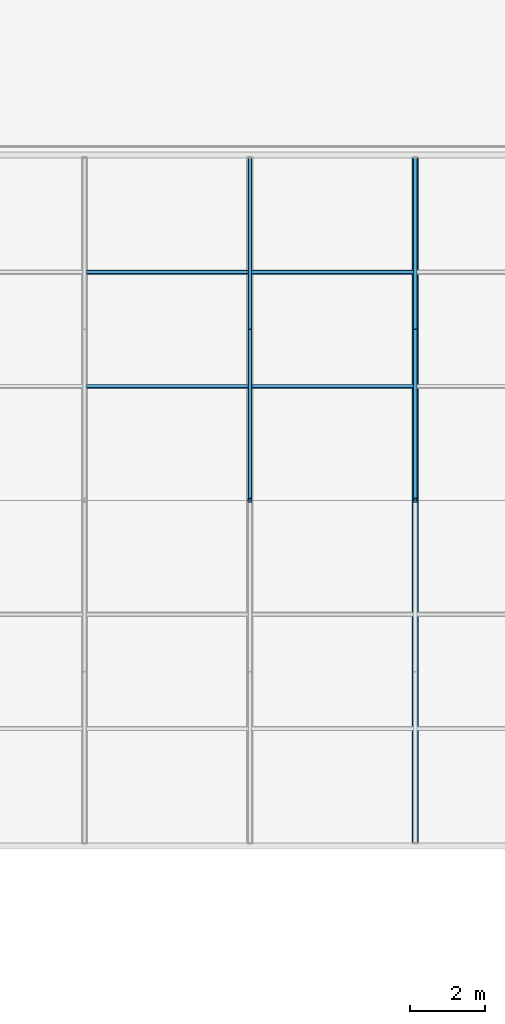
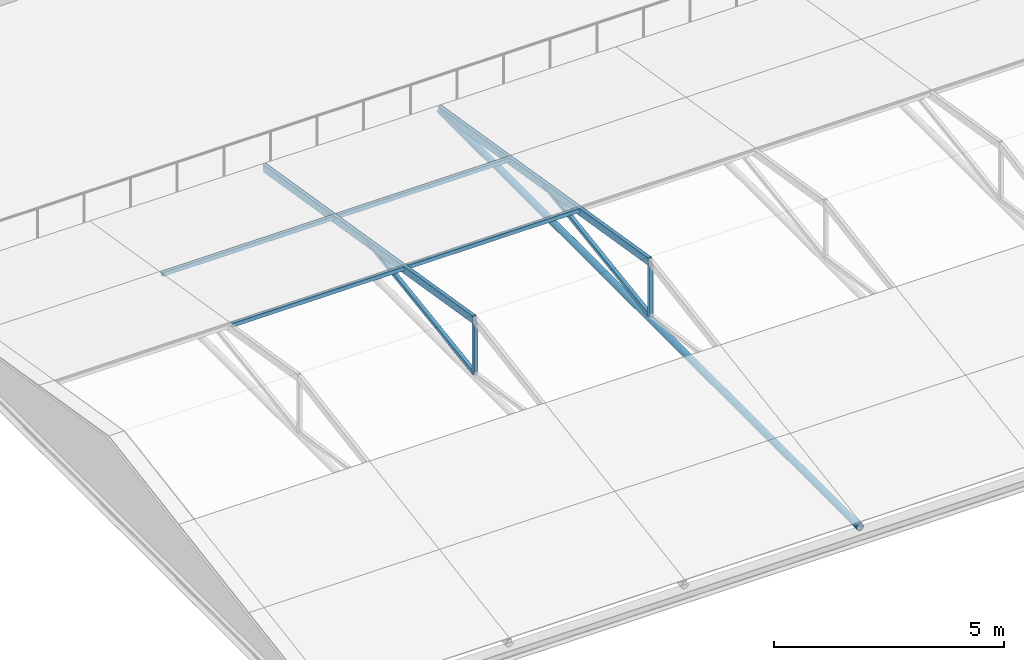
# One storey, part 9 of 69: 11 members.
"""IFC4 building model written with IfcOpenShell, lengths in metres."""

from ifc_helpers import new_model, si_unit, direction, frame, origin, origin_2d, place, context, subcontext, project, spatial, hollow_rectangle, hollow_circle, extrude, material, material_profile, profile_set, type_object, element, save


model = new_model("IFC4")

# Units and contexts
model_context = context("Model", 3, precision=1e-05, world=origin(), true_north=direction((0.0, 1.0)))
body_context = subcontext(model_context, "Body", "Model", "MODEL_VIEW")
ifc_project = project(units=[si_unit("LENGTHUNIT", "METRE"), si_unit("AREAUNIT", "SQUARE_METRE"), si_unit("VOLUMEUNIT", "CUBIC_METRE"), si_unit("PLANEANGLEUNIT", "RADIAN"), si_unit("MASSUNIT", "GRAM", prefix="KILO")], contexts=[model_context])

# Site, building, storey
site_placement = place(None, origin())
site = spatial("IfcSite", under=ifc_project, at=site_placement, CompositionType="ELEMENT")
building_placement = place(site_placement, origin())
building = spatial("IfcBuilding", under=site, at=building_placement, Name="Kallimachos Central Library", CompositionType="ELEMENT")
storey_placement = place(building_placement, frame((0.0, 0.0, 23.39990234375)))
storey = spatial("IfcBuildingStorey", under=building, at=storey_placement, Name="L05", CompositionType="ELEMENT", Elevation=23.39990234375)

# Members
ifc_material_1 = material(Name="Steel S355J2H", Category="steel")
ifc_material_profile_1 = material_profile(ifc_material_1, hollow_circle(Radius=0.084228515625, WallThickness=0.008056640625, at=origin_2d()), Name="CHS 168.3x8")
ifc_profile_set_1 = profile_set([ifc_material_profile_1], Name="Steel S355J2H")
member_type_1 = type_object("IfcMemberType", Name="CHS 168.3x8 tie", PredefinedType="MEMBER", material=ifc_profile_set_1)
member_placement = place(storey_placement, frame((88.0, 56.919921875, 0.374267578125), z_axis=(0.0, 1.0, 0.0), x_axis=(-1.0, 0.0, 0.0)))
element("IfcMember", 1, at=member_placement, inside=storey, type_object=member_type_1, Name="V4-MEM-L05-061", PredefinedType="MEMBER", context=body_context, shape_type="SweptSolid", body=[
    extrude(hollow_circle(Radius=0.084228515625, WallThickness=0.008056640625, at=origin_2d()), origin(), (0.0, 0.0, 1.0), 18.22998046875),
])
ifc_material_2 = material(Name="Steel S355J2H", Category="steel")
ifc_material_profile_2 = material_profile(ifc_material_2, hollow_rectangle(XDim=0.10009765625, YDim=0.199951171875, WallThickness=0.008056640625, InnerFilletRadius=0.008056640625, OuterFilletRadius=0.011962890625, at=origin_2d()), Name="RHS 200x100x8")
ifc_profile_set_2 = profile_set([ifc_material_profile_2], Name="Steel S355J2H")
member_type_2 = type_object("IfcMemberType", Name="RHS 200x100x8 rafter", PredefinedType="RAFTER", material=ifc_profile_set_2)
for number, where, z_axis, x_axis, name in (
    (2, (83.60009765625, 75.14990234375, 0.391357421875), (0.0, -0.986728292904, 0.162380035666), (1.0, 0.0, 0.0), "V4-MEM-L05-054"),
    (3, (88.0, 75.14990234375, 0.391357421875), (0.0, -0.986728292904, 0.162380035666), (1.0, 0.0, 0.0), "V4-MEM-L05-060"),
):
    element("IfcMember", number, at=place(storey_placement, frame(where, z_axis=z_axis, x_axis=x_axis)), inside=storey, type_object=member_type_2, Name=name, PredefinedType="RAFTER", context=body_context, shape_type="SweptSolid", body=[
        extrude(hollow_rectangle(XDim=0.10009765625, YDim=0.199951171875, WallThickness=0.008056640625, InnerFilletRadius=0.008056640625, OuterFilletRadius=0.011962890625, at=origin_2d()), origin(), (0.0, 0.0, 1.0), 9.237548828125),
    ])
ifc_material_3 = material(Name="Steel S355J2H", Category="steel")
ifc_material_profile_3 = material_profile(ifc_material_3, hollow_rectangle(XDim=0.10009765625, YDim=0.10009765625, WallThickness=0.008056640625, InnerFilletRadius=0.008056640625, OuterFilletRadius=0.011962890625, at=origin_2d()), Name="SHS 100x100x8")
ifc_profile_set_3 = profile_set([ifc_material_profile_3], Name="Steel S355J2H")
member_type_3 = type_object("IfcMemberType", Name="SHS 100x100x8 king post", PredefinedType="POST", material=ifc_profile_set_3)
for number, where, z_axis, x_axis, name in (
    (4, (83.60009765625, 66.034912109375, 0.45849609375), (0.0, 0.0, 1.0), (1.0, 0.0, 0.0), "V4-MEM-L05-056"),
    (5, (88.0, 66.034912109375, 0.45849609375), (0.0, 0.0, 1.0), (1.0, 0.0, 0.0), "V4-MEM-L05-062"),
):
    element("IfcMember", number, at=place(storey_placement, frame(where, z_axis=z_axis, x_axis=x_axis)), inside=storey, type_object=member_type_3, Name=name, PredefinedType="POST", context=body_context, shape_type="SweptSolid", body=[
        extrude(hollow_rectangle(XDim=0.10009765625, YDim=0.10009765625, WallThickness=0.008056640625, InnerFilletRadius=0.008056640625, OuterFilletRadius=0.011962890625, at=origin_2d()), origin(), (0.0, 0.0, 1.0), 1.33154296875),
    ])
ifc_material_4 = material(Name="Steel S355J2H", Category="steel")
ifc_material_profile_4 = material_profile(ifc_material_4, hollow_rectangle(XDim=0.10009765625, YDim=0.10009765625, WallThickness=0.008056640625, InnerFilletRadius=0.008056640625, OuterFilletRadius=0.011962890625, at=origin_2d()), Name="SHS 100x100x8")
ifc_profile_set_4 = profile_set([ifc_material_profile_4], Name="Steel S355J2H")
member_type_4 = type_object("IfcMemberType", Name="SHS 100x100x8 purlin", PredefinedType="PURLIN", material=ifc_profile_set_4)
for number, where, z_axis, x_axis, name in (
    (6, (79.25, 72.103515625, 0.943359375), (1.0, 0.0, 0.0), (0.0, 0.986728320778, -0.162379866283), "V4-MEM-L05-096"),
    (7, (83.64990234375, 72.103515625, 0.943359375), (1.0, 0.0, 0.0), (0.0, 0.986728320778, -0.162379866283), "V4-MEM-L05-097"),
    (8, (79.25, 69.065185546875, 1.443359375), (1.0, 0.0, 0.0), (0.0, 0.986728320778, -0.162379866283), "V4-MEM-L05-102"),
    (9, (83.64990234375, 69.065185546875, 1.443359375), (1.0, 0.0, 0.0), (0.0, 0.986728320778, -0.162379866283), "V4-MEM-L05-103"),
):
    element("IfcMember", number, at=place(storey_placement, frame(where, z_axis=z_axis, x_axis=x_axis)), inside=storey, type_object=member_type_4, Name=name, PredefinedType="PURLIN", context=body_context, shape_type="SweptSolid", body=[
        extrude(hollow_rectangle(XDim=0.10009765625, YDim=0.10009765625, WallThickness=0.008056640625, InnerFilletRadius=0.008056640625, OuterFilletRadius=0.011962890625, at=origin_2d()), origin(), (0.0, 0.0, 1.0), 4.300048828125),
    ])
ifc_material_5 = material(Name="Steel S355J2H", Category="steel")
ifc_material_profile_5 = material_profile(ifc_material_5, hollow_rectangle(XDim=0.10009765625, YDim=0.10009765625, WallThickness=0.008056640625, InnerFilletRadius=0.008056640625, OuterFilletRadius=0.011962890625, at=origin_2d()), Name="SHS 100x100x8")
ifc_profile_set_5 = profile_set([ifc_material_profile_5], Name="Steel S355J2H")
member_type_5 = type_object("IfcMemberType", Name="SHS 100x100x8 strut", PredefinedType="STRUT", material=ifc_profile_set_5)
for number, where, z_axis, x_axis, name in (
    (10, (83.60009765625, 66.034912109375, 0.474365234375), (0.0, 0.989460323252, 0.144804242721), (-1.0, 0.0, 0.0), "V4-MEM-L05-058"),
    (11, (88.0, 66.034912109375, 0.474365234375), (0.0, 0.989460323252, 0.144804242721), (-1.0, 0.0, 0.0), "V4-MEM-L05-064"),
):
    element("IfcMember", number, at=place(storey_placement, frame(where, z_axis=z_axis, x_axis=x_axis)), inside=storey, type_object=member_type_5, Name=name, PredefinedType="STRUT", context=body_context, shape_type="SweptSolid", body=[
        extrude(hollow_rectangle(XDim=0.10009765625, YDim=0.10009765625, WallThickness=0.008056640625, InnerFilletRadius=0.008056640625, OuterFilletRadius=0.011962890625, at=origin_2d()), origin(), (0.0, 0.0, 1.0), 4.606201171875),
    ])

save(model, "model.ifc")
